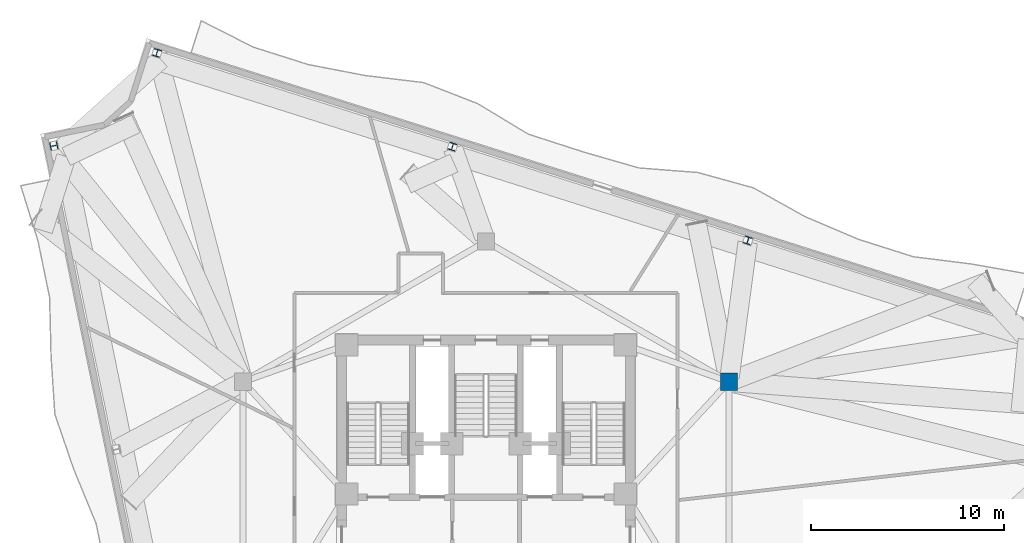
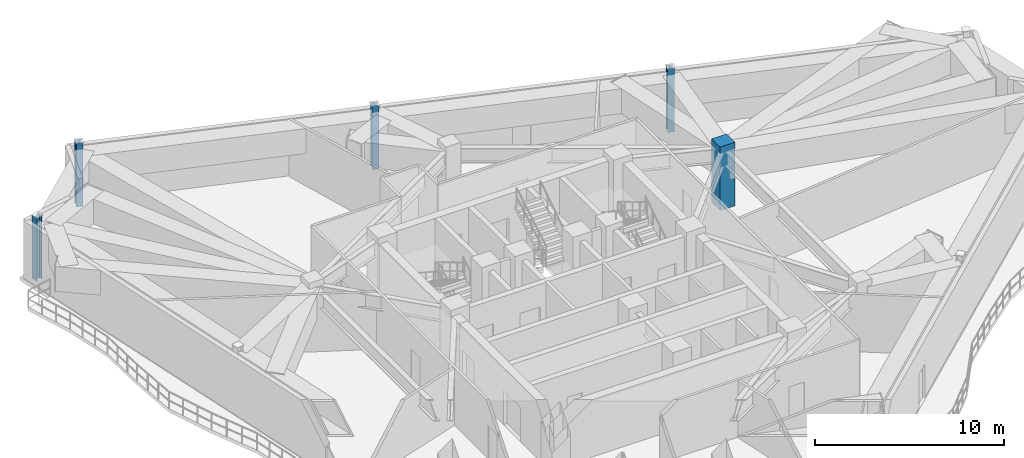
# One storey, part 2 of 12: 5 columns.
"""IFC4 building model written with IfcOpenShell, lengths in metres."""

from ifc_helpers import new_model, si_unit, direction, frame, origin, origin_2d, place, context, subcontext, project, spatial, rectangle, i_section, extrude, material, material_profile, profile_set, type_object, element, save


model = new_model("IFC4")

# Units and contexts
model_context = context("Model", 3, precision=1e-05, world=origin(), true_north=direction((0.0, 1.0)))
body_context = subcontext(model_context, "Body", "Model", "MODEL_VIEW")
ifc_project = project(units=[si_unit("LENGTHUNIT", "METRE"), si_unit("AREAUNIT", "SQUARE_METRE"), si_unit("VOLUMEUNIT", "CUBIC_METRE"), si_unit("PLANEANGLEUNIT", "RADIAN"), si_unit("MASSUNIT", "GRAM", prefix="KILO")], contexts=[model_context])

# Site, building, storey
site_placement = place(None, origin())
site = spatial("IfcSite", under=ifc_project, at=site_placement, CompositionType="ELEMENT")
building_placement = place(site_placement, origin())
building = spatial("IfcBuilding", under=site, at=building_placement, Name="Apsidion Concourse Tower", CompositionType="ELEMENT")
storey_placement = place(building_placement, frame((0.0, 0.0, 256.800048828125)))
storey = spatial("IfcBuildingStorey", under=building, at=storey_placement, Name="L60", CompositionType="ELEMENT", Elevation=256.800048828125)

# Columns
ifc_material_1 = material(Name="Concrete C50/60", Category="concrete")
ifc_material_profile_1 = material_profile(ifc_material_1, rectangle(XDim=0.89990234375, YDim=0.89990234375, at=origin_2d()), Name="RC 900x900")
ifc_profile_set_1 = profile_set([ifc_material_profile_1], Name="Concrete C50/60")
column_type_1 = type_object("IfcColumnType", Name="COL-RC-900", PredefinedType="COLUMN", material=ifc_profile_set_1)
column_placement = place(storey_placement, frame((12.56005859375, 7.25, 0.0), z_axis=(0.0, 0.0, 1.0), x_axis=(1.0, 0.0, 0.0)))
element("IfcColumn", 1, at=column_placement, inside=storey, type_object=column_type_1, Name="L60 Interior Spine Column IC3", PredefinedType="COLUMN", context=body_context, shape_type="SweptSolid", body=[
    extrude(rectangle(XDim=0.89990234375, YDim=0.89990234375, at=origin_2d()), origin(), (0.0, 0.0, 1.0), 4.099853515625),
])
ifc_material_2 = material(Name="Structural steel ASTM A992 Grade 50", Category="steel")
ifc_material_profile_2 = material_profile(ifc_material_2, i_section(OverallWidth=0.373046875, OverallDepth=0.373046875, WebThickness=0.016357421875, FlangeThickness=0.026123046875, at=origin_2d()), Name="W14X132")
ifc_profile_set_2 = profile_set([ifc_material_profile_2], Name="Structural steel ASTM A992 Grade 50")
column_type_2 = type_object("IfcColumnType", Name="COL-W14-132", PredefinedType="COLUMN", material=ifc_profile_set_2)
for number, where, z_axis, x_axis, name in (
    (2, (-22.337158203125, 19.44677734375, 0.0), (0.0, 0.0, 1.0), (-0.201248886216, 0.979540139962, 0.0), "L60 Rotated Perimeter Column PC01"),
    (3, (13.539306640625, 14.552978515625, 0.0), (0.0, 0.0, 1.0), (-0.953137879774, 0.3025362493, 0.0), "L60 Rotated Perimeter Column PC10"),
    (4, (-1.733154296875, 19.400390625, 0.0), (0.0, 0.0, 1.0), (-0.953137879774, 0.3025362493, 0.0), "L60 Rotated Perimeter Column PC11"),
    (5, (-17.00537109375, 24.24755859375, 0.0), (0.0, 0.0, 1.0), (-0.953137879774, 0.3025362493, 0.0), "L60 Rotated Perimeter Column PC12"),
):
    element("IfcColumn", number, at=place(storey_placement, frame(where, z_axis=z_axis, x_axis=x_axis)), inside=storey, type_object=column_type_2, Name=name, PredefinedType="COLUMN", context=body_context, shape_type="SweptSolid", body=[
        extrude(i_section(OverallWidth=0.373046875, OverallDepth=0.373046875, WebThickness=0.016357421875, FlangeThickness=0.026123046875, at=origin_2d()), origin(), (0.0, 0.0, 1.0), 4.099853515625),
    ])

save(model, "model.ifc")
